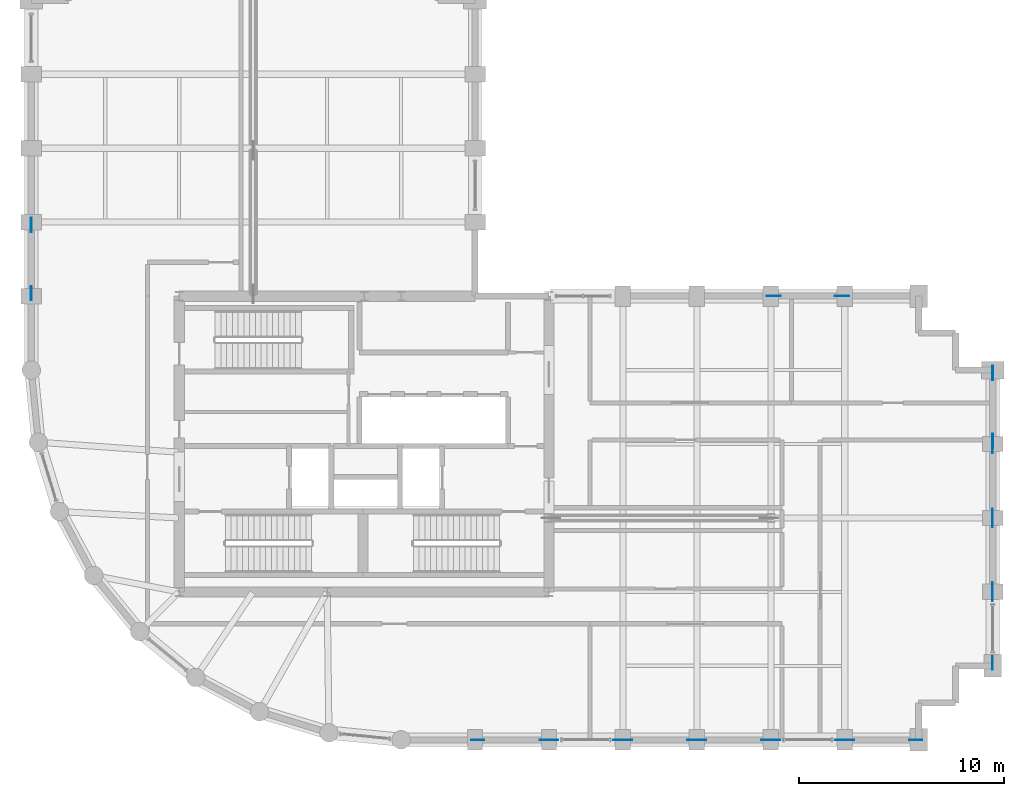
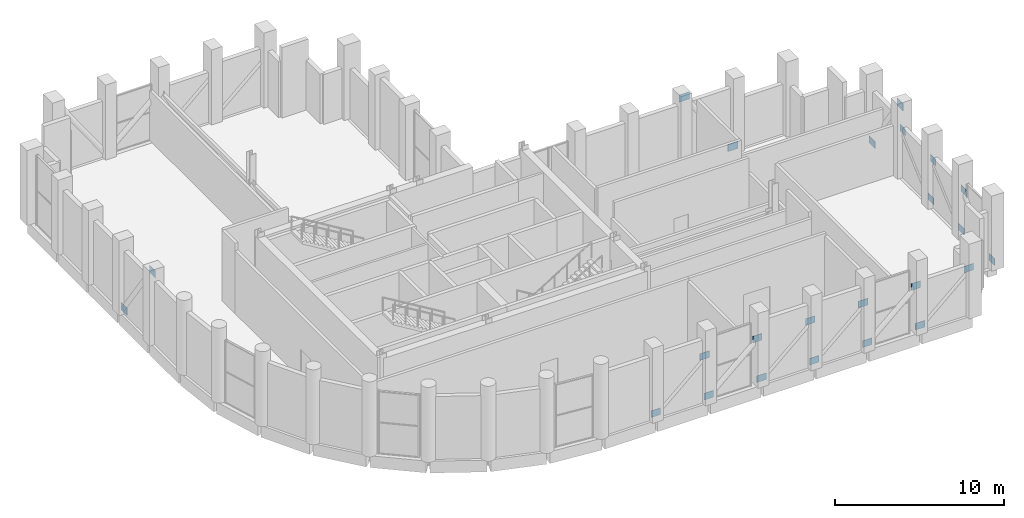
# One storey, part 15 of 19: 24 plates.
"""IFC4 building model written with IfcOpenShell, lengths in metres."""

from ifc_helpers import new_model, si_unit, direction, frame, origin, origin_2d, place, context, subcontext, project, spatial, rectangle, extrude, material, layer, layer_set, type_object, element, save


model = new_model("IFC4")

# Units and contexts
model_context = context("Model", 3, precision=1e-05, world=origin(), true_north=direction((0.0, 1.0)))
body_context = subcontext(model_context, "Body", "Model", "MODEL_VIEW")
ifc_project = project(units=[si_unit("LENGTHUNIT", "METRE"), si_unit("AREAUNIT", "SQUARE_METRE"), si_unit("VOLUMEUNIT", "CUBIC_METRE"), si_unit("PLANEANGLEUNIT", "RADIAN"), si_unit("MASSUNIT", "GRAM", prefix="KILO")], contexts=[model_context])

# Site, building, storey
site_placement = place(None, origin())
site = spatial("IfcSite", under=ifc_project, at=site_placement, CompositionType="ELEMENT")
building_placement = place(site_placement, origin())
building = spatial("IfcBuilding", under=site, at=building_placement, Name="Solnavia Interchange Tower", CompositionType="ELEMENT")
storey_placement = place(building_placement, frame((0.0, 0.0, 169.39990234375)))
storey = spatial("IfcBuildingStorey", under=building, at=storey_placement, Name="L42", CompositionType="ELEMENT", Elevation=169.39990234375)

# Plates
ifc_material = material(Name="Steel S460", Category="steel")
ifc_layer_1 = layer(ifc_material, 0.02490234375)
ifc_layer_set_1 = layer_set([ifc_layer_1], Name="Steel S460")
plate_type_1 = type_object("IfcPlateType", Name="Plate-Gusset-640x480x25", PredefinedType="USERDEFINED", material=ifc_layer_set_1)
for number, where, z_axis, x_axis, name in (
    (1, (28.93994140625, 3.60009765625, 0.06005859375), (0.0, 0.0, 1.0), (1.0, 0.0, 0.0), "PLT-L42-GP19 Belt truss gusset plate"),
    (2, (32.260009765625, 3.60009765625, 3.010009765625), (0.0, 0.0, 1.0), (1.0, 0.0, 0.0), "PLT-L42-GP20 Belt truss gusset plate"),
    (3, (32.5400390625, 3.60009765625, 0.06005859375), (0.0, 0.0, 1.0), (1.0, 0.0, 0.0), "PLT-L42-GP21 Belt truss gusset plate"),
    (4, (35.860107421875, 3.60009765625, 3.010009765625), (0.0, 0.0, 1.0), (1.0, 0.0, 0.0), "PLT-L42-GP22 Belt truss gusset plate"),
    (5, (36.139892578125, 3.60009765625, 0.06005859375), (0.0, 0.0, 1.0), (1.0, 0.0, 0.0), "PLT-L42-GP23 Belt truss gusset plate"),
    (6, (39.4599609375, 3.60009765625, 3.010009765625), (0.0, 0.0, 1.0), (1.0, 0.0, 0.0), "PLT-L42-GP24 Belt truss gusset plate"),
    (7, (39.739990234375, 3.60009765625, 0.06005859375), (0.0, 0.0, 1.0), (1.0, 0.0, 0.0), "PLT-L42-GP25 Belt truss gusset plate"),
    (8, (43.06005859375, 3.60009765625, 3.010009765625), (0.0, 0.0, 1.0), (1.0, 0.0, 0.0), "PLT-L42-GP26 Belt truss gusset plate"),
    (9, (43.340087890625, 3.60009765625, 0.06005859375), (0.0, 0.0, 1.0), (1.0, 0.0, 0.0), "PLT-L42-GP27 Belt truss gusset plate"),
    (10, (46.659912109375, 3.60009765625, 3.010009765625), (0.0, 0.0, 1.0), (1.0, 0.0, 0.0), "PLT-L42-GP28 Belt truss gusset plate"),
    (11, (46.93994140625, 3.60009765625, 0.06005859375), (0.0, 0.0, 1.0), (1.0, 0.0, 0.0), "PLT-L42-GP29 Belt truss gusset plate"),
    (12, (50.260009765625, 3.60009765625, 3.010009765625), (0.0, 0.0, 1.0), (1.0, 0.0, 0.0), "PLT-L42-GP30 Belt truss gusset plate"),
    (13, (54.0, 7.340087890625, 0.06005859375), (0.0, 0.0, 1.0), (0.0, 1.0, 0.0), "PLT-L42-GP31 Belt truss gusset plate"),
    (14, (54.0, 10.659912109375, 3.010009765625), (0.0, 0.0, 1.0), (0.0, 1.0, 0.0), "PLT-L42-GP32 Belt truss gusset plate"),
    (15, (54.0, 10.93994140625, 0.06005859375), (0.0, 0.0, 1.0), (0.0, 1.0, 0.0), "PLT-L42-GP33 Belt truss gusset plate"),
    (16, (54.0, 14.260009765625, 3.010009765625), (0.0, 0.0, 1.0), (0.0, 1.0, 0.0), "PLT-L42-GP34 Belt truss gusset plate"),
    (17, (54.0, 14.5400390625, 0.06005859375), (0.0, 0.0, 1.0), (0.0, 1.0, 0.0), "PLT-L42-GP35 Belt truss gusset plate"),
    (18, (54.0, 17.860107421875, 3.010009765625), (0.0, 0.0, 1.0), (0.0, 1.0, 0.0), "PLT-L42-GP36 Belt truss gusset plate"),
):
    element("IfcPlate", number, at=place(storey_placement, frame(where, z_axis=z_axis, x_axis=x_axis)), inside=storey, type_object=plate_type_1, Name=name, ObjectType="GUSSET PLATE", PredefinedType="USERDEFINED", context=body_context, shape_type="SweptSolid", body=[
        extrude(rectangle(XDim=0.639892578125, YDim=0.02490234375, at=origin_2d()), origin(), (0.0, 0.0, 1.0), 0.47998046875),
    ])
ifc_layer_2 = layer(ifc_material, 0.030029296875)
ifc_layer_set_2 = layer_set([ifc_layer_2], Name="Steel S460")
plate_type_2 = type_object("IfcPlateType", Name="Plate-Gusset-700x520x30", PredefinedType="USERDEFINED", material=ifc_layer_set_2)
for number, where, z_axis, x_axis, name in (
    (19, (7.199951171875, 28.659912109375, -0.079833984375), (0.0, 0.0, 1.0), (0.0, -1.0, 0.0), "PLT-L42-GP01 Perimeter brace gusset plate"),
    (20, (7.199951171875, 25.340087890625, 4.64013671875), (0.0, 0.0, 1.0), (0.0, -1.0, 0.0), "PLT-L42-GP02 Perimeter brace gusset plate"),
    (21, (54.0, 21.4599609375, -0.079833984375), (0.0, 0.0, 1.0), (0.0, -1.0, 0.0), "PLT-L42-GP03 Perimeter brace gusset plate"),
    (22, (54.0, 18.139892578125, 4.64013671875), (0.0, 0.0, 1.0), (0.0, -1.0, 0.0), "PLT-L42-GP04 Perimeter brace gusset plate"),
    (23, (46.659912109375, 25.199951171875, -0.079833984375), (0.0, 0.0, 1.0), (-1.0, 0.0, 0.0), "PLT-L42-GP07 Perimeter brace gusset plate"),
    (24, (43.340087890625, 25.199951171875, 4.64013671875), (0.0, 0.0, 1.0), (-1.0, 0.0, 0.0), "PLT-L42-GP08 Perimeter brace gusset plate"),
):
    element("IfcPlate", number, at=place(storey_placement, frame(where, z_axis=z_axis, x_axis=x_axis)), inside=storey, type_object=plate_type_2, Name=name, ObjectType="GUSSET PLATE", PredefinedType="USERDEFINED", context=body_context, shape_type="SweptSolid", body=[
        extrude(rectangle(XDim=0.699951171875, YDim=0.030029296875, at=origin_2d()), origin(), (0.0, 0.0, 1.0), 0.52001953125),
    ])

save(model, "model.ifc")
